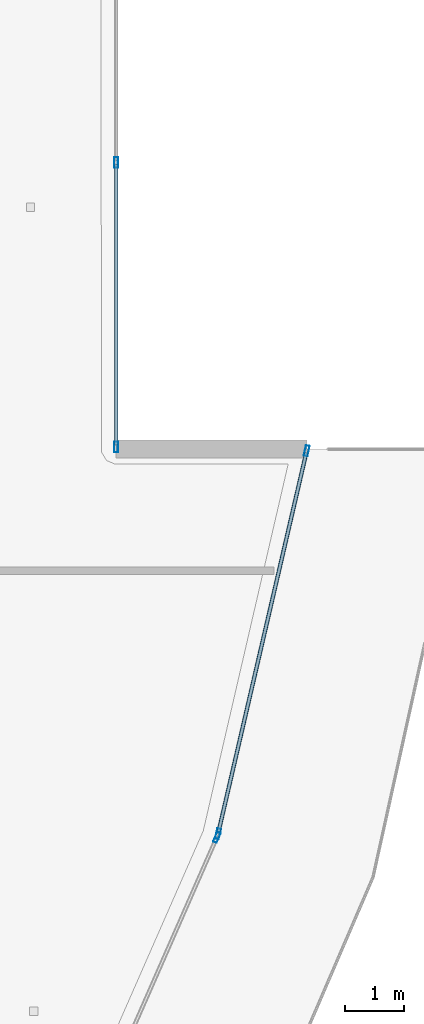
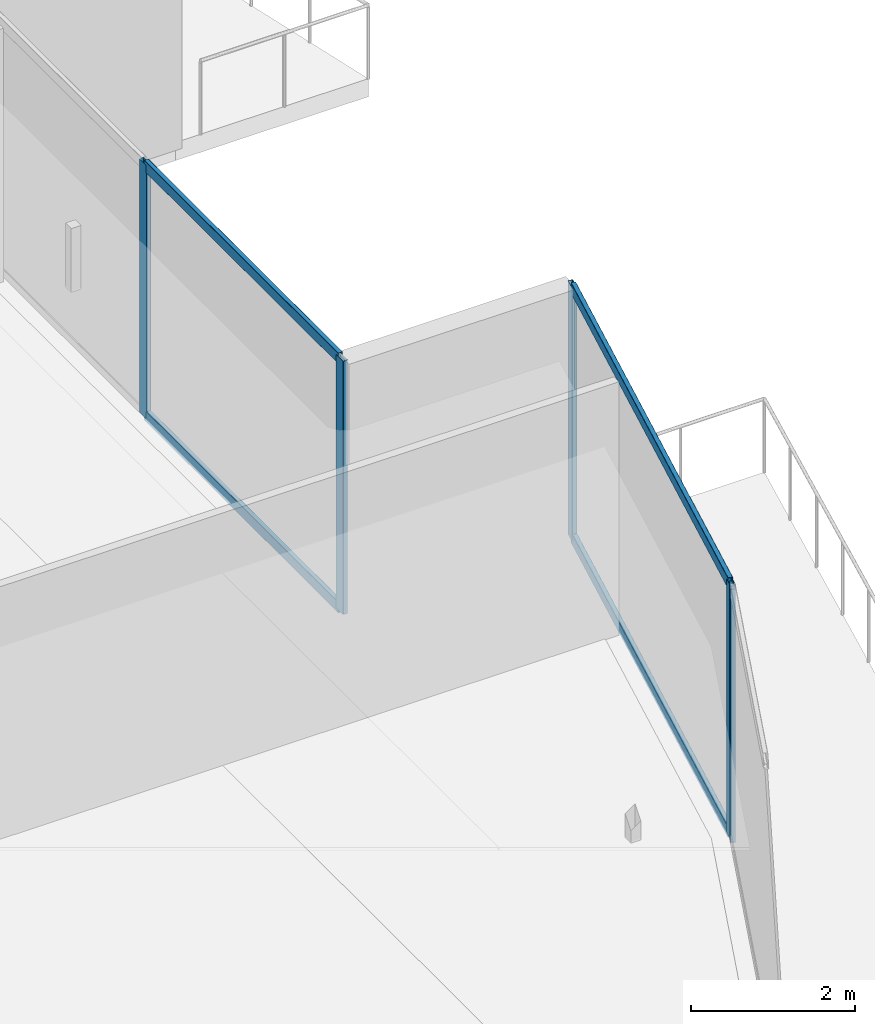
# One storey, part 13 of 39: 9 members, 3 elements without a shape of their own.
"""IFC4 building model written with IfcOpenShell, lengths in metres."""

import ifcopenshell
import ifcopenshell.guid

model = None  # the IFC model being written
_history = None  # IfcOwnerHistory: only IFC2X3 demands one
_inside = {}  # id of a spatial element -> (the spatial element, [elements in it])
_under = {}  # id of a project, library or spatial element -> (it, [spatial elements below it])
_declared = {}  # id of a project -> (the project, [libraries it declares])
_typed = {}  # id of a type object -> (the type object, [elements of that type])
_made_of = {}  # id of a material, layer set ... -> (it, [elements and type objects made of it])


def new_model(schema):
    """Start an empty IFC model of exactly this schema.

    Asked for "IFC4X3", IfcOpenShell would pick the latest addendum, in which some entities
    have other attributes; the version numbers below select the first issue.
    IFC2X3 requires an IfcOwnerHistory on every rooted entity: one is made here for all.
    """
    global model, _history
    if schema == "IFC4X3":
        model = ifcopenshell.file(schema_version=(4, 3, 0, 0))
    else:
        model = ifcopenshell.file(schema=schema)
    _inside.clear()
    _under.clear()
    _declared.clear()
    _typed.clear()
    _made_of.clear()
    _history = None
    if model.schema == "IFC2X3":
        org = make("IfcOrganization", Name="unknown")
        user = make(
            "IfcPersonAndOrganization",
            ThePerson=make("IfcPerson", FamilyName="unknown"),
            TheOrganization=org,
        )
        app = make(
            "IfcApplication",
            ApplicationDeveloper=org,
            Version="unknown",
            ApplicationFullName="unknown",
            ApplicationIdentifier="unknown",
        )
        _history = make(
            "IfcOwnerHistory",
            OwningUser=user,
            OwningApplication=app,
            ChangeAction="ADDED",
            CreationDate=0,
        )
    return model


def make(cls, **values):
    """One entity of the class cls with the attributes given. An attribute that is None is left unset."""
    return model.create_entity(
        cls, **{name: value for name, value in values.items() if value is not None}
    )


def rooted(cls, **values):
    """An entity with a GlobalId (a new one), such as an element, a storey or a relation."""
    return make(cls, GlobalId=ifcopenshell.guid.new(), OwnerHistory=_history, **values)


def si_unit(unit_type, name, prefix=None):
    """IfcSIUnit, for example si_unit("LENGTHUNIT", "METRE", prefix="MILLI")."""
    return make("IfcSIUnit", UnitType=unit_type, Prefix=prefix, Name=name)


def assignment(units):
    """IfcUnitAssignment: the units of a project."""
    return None if units is None else make("IfcUnitAssignment", Units=units)


def point(xyz):
    """IfcCartesianPoint."""
    return None if xyz is None else make("IfcCartesianPoint", Coordinates=xyz)


def direction(xyz):
    """IfcDirection."""
    return None if xyz is None else make("IfcDirection", DirectionRatios=xyz)


def frame(location, z_axis=None, x_axis=None):
    """IfcAxis2Placement3D, a coordinate frame: its origin and axes. An axis left out is left unset."""
    return make(
        "IfcAxis2Placement3D",
        Location=point(location),
        Axis=direction(z_axis),
        RefDirection=direction(x_axis),
    )


def frame_2d(location, x_axis=None):
    """IfcAxis2Placement2D, a coordinate frame in the plane: its origin and x axis."""
    return make(
        "IfcAxis2Placement2D", Location=point(location), RefDirection=direction(x_axis)
    )


def origin():
    """The frame at (0, 0, 0) with its axes left unset."""
    return frame((0.0, 0.0, 0.0))


def origin_2d():
    """The frame at (0, 0) in the plane with its x axis left unset."""
    return frame_2d((0.0, 0.0))


def place(relative_to, where):
    """IfcLocalPlacement: puts the frame where relative to a parent placement (None: the world)."""
    return make(
        "IfcLocalPlacement", PlacementRelTo=relative_to, RelativePlacement=where
    )


def context(
    kind, dimensions, precision=None, world=None, true_north=None, identifier=None
):
    """IfcGeometricRepresentationContext, for example the 3D "Model" context."""
    return make(
        "IfcGeometricRepresentationContext",
        ContextIdentifier=identifier,
        ContextType=kind,
        CoordinateSpaceDimension=dimensions,
        Precision=precision,
        WorldCoordinateSystem=world,
        TrueNorth=true_north,
    )


def subcontext(parent, identifier, kind, view, scale=None):
    """IfcGeometricRepresentationSubContext, for example "Body" below "Model"."""
    return make(
        "IfcGeometricRepresentationSubContext",
        ContextIdentifier=identifier,
        ContextType=kind,
        ParentContext=parent,
        TargetScale=scale,
        TargetView=view,
    )


def project(units=None, contexts=None):
    """IfcProject with its units and contexts."""
    return rooted(
        "IfcProject",
        Name="project",
        RepresentationContexts=contexts,
        UnitsInContext=assignment(units),
    )


def spatial(cls, under=None, at=None, **own):
    """A site, building, storey or space (cls), placed at a placement, below another one or the project."""
    s = rooted(cls, ObjectPlacement=at, **own)
    if under is not None:
        _under.setdefault(under.id(), (under, []))[1].append(s)
    return s


def profile(cls, at=None, kind="AREA", **sizes):
    """A parametric profile (cls). Its sizes go by their IFC names, for example OverallWidth=200.0."""
    return make(cls, ProfileType=kind, Position=at, **sizes)


def hollow_rectangle(**sizes):
    """IfcRectangleHollowProfileDef."""
    return profile("IfcRectangleHollowProfileDef", **sizes)


def extrude(swept, where, along, depth):
    """IfcExtrudedAreaSolid: the profile swept, set in the frame where, extruded along a direction by depth."""
    return make(
        "IfcExtrudedAreaSolid",
        SweptArea=swept,
        Position=where,
        ExtrudedDirection=direction(along),
        Depth=depth,
    )


def shape(context_of_items, identifier, shape_type, items):
    """IfcShapeRepresentation: the items that make up one representation, for example the "Body"."""
    return make(
        "IfcShapeRepresentation",
        ContextOfItems=context_of_items,
        RepresentationIdentifier=identifier,
        RepresentationType=shape_type,
        Items=items,
    )


def material(Name=None, Category=None):
    """IfcMaterial."""
    return make("IfcMaterial", Name=Name, Category=Category)


def layer(
    of_material, thickness, ventilated=None, Name=None, Category=None, Priority=None
):
    """IfcMaterialLayer: one layer of a wall or slab, of a material (None: an air gap)."""
    return make(
        "IfcMaterialLayer",
        Material=of_material,
        LayerThickness=thickness,
        IsVentilated=ventilated,
        Name=Name,
        Category=Category,
        Priority=Priority,
    )


def layer_set(layers, Name=None):
    """IfcMaterialLayerSet."""
    return make("IfcMaterialLayerSet", MaterialLayers=layers, LayerSetName=Name)


def material_profile(
    of_material, cross_section, Name=None, Category=None, Priority=None
):
    """IfcMaterialProfile: a cross section and its material."""
    return make(
        "IfcMaterialProfile",
        Name=Name,
        Material=of_material,
        Profile=cross_section,
        Priority=Priority,
        Category=Category,
    )


def profile_set(profiles, Name=None, composite=None):
    """IfcMaterialProfileSet."""
    return make(
        "IfcMaterialProfileSet",
        Name=Name,
        MaterialProfiles=profiles,
        CompositeProfile=composite,
    )


def made_of(thing, what):
    """Note that an element or type object is made of a material, layer set ...; save() writes the relation."""
    if what is not None:
        _made_of.setdefault(what.id(), (what, []))[1].append(thing)
    return thing


def type_object(cls, material=None, **own):
    """A type object (cls), such as IfcWallType, which elements share."""
    return made_of(rooted(cls, **own), material)


def element(
    cls,
    number,
    at=None,
    inside=None,
    cuts=None,
    type_object=None,
    material=None,
    context=None,
    identifier="Body",
    shape_type=None,
    held_by="IfcProductDefinitionShape",
    body=None,
    shapes=None,
    **own,
):
    """One element of the class cls, such as IfcWall. Its Tag is "e" and its number.

    at: its placement. inside: the storey or other place that contains it. cuts: it is an
    opening in that element (IfcRelVoidsElement). A single representation is given by context,
    identifier, shape_type and body (its items); several are given by shapes. held_by: the class
    of the entity that holds the representations. save() writes the other relations.
    """
    e = rooted(cls, Tag="e%d" % number, ObjectPlacement=at, **own)
    if body is not None:
        shapes = [shape(context, identifier, shape_type, body)]
    if shapes is not None:
        e.Representation = make(held_by, Representations=shapes)
    if inside is not None:
        _inside.setdefault(inside.id(), (inside, []))[1].append(e)
    if cuts is not None:
        rooted(
            "IfcRelVoidsElement", RelatingBuildingElement=cuts, RelatedOpeningElement=e
        )
    if type_object is not None:
        _typed.setdefault(type_object.id(), (type_object, []))[1].append(e)
    return made_of(e, material)


def aggregate(whole, parts):
    """IfcRelAggregates: a whole, such as a stair, and the parts it consists of."""
    return rooted("IfcRelAggregates", RelatingObject=whole, RelatedObjects=parts)


def save(model, path):
    """Write the relations noted so far, then the file.

    IfcRelAggregates (storeys below a building ...), IfcRelContainedInSpatialStructure (elements
    in a storey), IfcRelDefinesByType, IfcRelAssociatesMaterial and IfcRelDeclares: one each for
    every whole, place, type object, material and project.
    """
    for whole, parts in _under.values():
        aggregate(whole, parts)
    for where, things in _inside.values():
        rooted(
            "IfcRelContainedInSpatialStructure",
            RelatedElements=things,
            RelatingStructure=where,
        )
    for kind, things in _typed.values():
        rooted("IfcRelDefinesByType", RelatedObjects=things, RelatingType=kind)
    for what, things in _made_of.values():
        rooted("IfcRelAssociatesMaterial", RelatedObjects=things, RelatingMaterial=what)
    for by, libraries in _declared.values():
        rooted("IfcRelDeclares", RelatingContext=by, RelatedDefinitions=libraries)
    model.write(path)


model = new_model("IFC4")

# Units and contexts
model_context = context("Model", 3, precision=1e-05, world=origin(), true_north=direction((0.0, 1.0)))
body_context = subcontext(model_context, "Body", "Model", "MODEL_VIEW")
ifc_project = project(units=[si_unit("LENGTHUNIT", "METRE"), si_unit("AREAUNIT", "SQUARE_METRE"), si_unit("VOLUMEUNIT", "CUBIC_METRE"), si_unit("PLANEANGLEUNIT", "RADIAN"), si_unit("MASSUNIT", "GRAM", prefix="KILO")], contexts=[model_context])

# Site, building, storey
site_placement = place(None, origin())
site = spatial("IfcSite", under=ifc_project, at=site_placement, CompositionType="ELEMENT")
building_placement = place(site_placement, origin())
building = spatial("IfcBuilding", under=site, at=building_placement, Name="Qorvath Tower", CompositionType="ELEMENT")
storey_placement = place(building_placement, frame((0.0, 0.0, 142.199951171875)))
storey = spatial("IfcBuildingStorey", under=building, at=storey_placement, Name="L32", CompositionType="ELEMENT", Elevation=142.199951171875)

# Curtain wall, member
ifc_material_1 = material(Name="Anodised aluminium and triple low-E glass", Category="aluminium")
ifc_layer = layer(ifc_material_1, 0.179931640625)
ifc_layer_set = layer_set([ifc_layer], Name="CW-SYS-3")
curtain_wall_type = type_object("IfcCurtainWallType", Name="CW-SYS-3", PredefinedType="NOTDEFINED", material=ifc_layer_set)
curtain_wall_1_placement = place(storey_placement, origin())
curtain_wall_1 = element("IfcCurtainWall", 1, at=curtain_wall_1_placement, inside=storey, type_object=curtain_wall_type, Name="Curtain Wall CW-3 CW-T-L32-6.1", PredefinedType="NOTDEFINED")
ifc_material_2 = material(Name="Anodised aluminium 6063-T6", Category="aluminium")
ifc_material_profile_1 = material_profile(ifc_material_2, hollow_rectangle(XDim=0.06494140625, YDim=0.179931640625, WallThickness=0.00341796875, InnerFilletRadius=0.00341796875, OuterFilletRadius=0.007080078125, at=origin_2d()), Name="CWM 180x65")
ifc_profile_set_1 = profile_set([ifc_material_profile_1], Name="Anodised aluminium 6063-T6")
member_type_1 = type_object("IfcMemberType", Name="CWM-180", PredefinedType="MULLION", material=ifc_profile_set_1)
member_1_placement = place(storey_placement, frame((2.30224609375, -11.3984375, 0.0), z_axis=(0.0, 0.0, 1.0), x_axis=(-0.915703754985, 0.401853994762, 0.0)))
member_1 = element("IfcMember", 2, at=member_1_placement, type_object=member_type_1, Name="CW-3 mullion 2", PredefinedType="MULLION", context=body_context, shape_type="SweptSolid", body=[
    extrude(hollow_rectangle(XDim=0.06494140625, YDim=0.179931640625, WallThickness=0.00341796875, InnerFilletRadius=0.00341796875, OuterFilletRadius=0.007080078125, at=origin_2d()), origin(), (0.0, 0.0, 1.0), 3.780029296875),
])
aggregate(curtain_wall_1, [member_1])

# Curtain wall, members
curtain_wall_2_placement = place(storey_placement, origin())
curtain_wall_2 = element("IfcCurtainWall", 3, at=curtain_wall_2_placement, inside=storey, type_object=curtain_wall_type, Name="Curtain Wall CW-3 CW-T-L32-7.1", PredefinedType="NOTDEFINED")
member_2_placement = place(storey_placement, frame((2.32275390625, -11.337158203125, 0.0), z_axis=(0.0, 0.0, 1.0), x_axis=(-0.974237086813, 0.225526270485, 0.0)))
member_2 = element("IfcMember", 4, at=member_2_placement, type_object=member_type_1, Name="CW-3 mullion 1", PredefinedType="MULLION", context=body_context, shape_type="SweptSolid", body=[
    extrude(hollow_rectangle(XDim=0.06494140625, YDim=0.179931640625, WallThickness=0.00341796875, InnerFilletRadius=0.00341796875, OuterFilletRadius=0.007080078125, at=origin_2d()), origin(), (0.0, 0.0, 1.0), 3.780029296875),
])
member_3_placement = place(storey_placement, frame((3.81982421875, -4.8701171875, 0.0), z_axis=(0.0, 0.0, 1.0), x_axis=(-0.974237086813, 0.225526270485, 0.0)))
member_3 = element("IfcMember", 5, at=member_3_placement, type_object=member_type_1, Name="CW-3 mullion 2", PredefinedType="MULLION", context=body_context, shape_type="SweptSolid", body=[
    extrude(hollow_rectangle(XDim=0.06494140625, YDim=0.179931640625, WallThickness=0.00341796875, InnerFilletRadius=0.00341796875, OuterFilletRadius=0.007080078125, at=origin_2d()), origin(), (0.0, 0.0, 1.0), 3.780029296875),
])

curtain_wall_3_placement = place(storey_placement, origin())
curtain_wall_3 = element("IfcCurtainWall", 6, at=curtain_wall_3_placement, inside=storey, type_object=curtain_wall_type, Name="Curtain Wall CW-3 CW-T-L32-9.1", PredefinedType="NOTDEFINED")
member_4_placement = place(storey_placement, frame((0.6015625, -4.805908203125, 0.0), z_axis=(0.0, 0.0, 1.0), x_axis=(-1.0, 0.0, 0.0)))
member_4 = element("IfcMember", 7, at=member_4_placement, type_object=member_type_1, Name="CW-3 mullion 1", PredefinedType="MULLION", context=body_context, shape_type="SweptSolid", body=[
    extrude(hollow_rectangle(XDim=0.06494140625, YDim=0.179931640625, WallThickness=0.00341796875, InnerFilletRadius=0.00341796875, OuterFilletRadius=0.007080078125, at=origin_2d()), origin(), (0.0, 0.0, 1.0), 3.780029296875),
])
member_5_placement = place(storey_placement, frame((0.6015625, 0.0, 0.0), z_axis=(0.0, 0.0, 1.0), x_axis=(-1.0, 0.0, 0.0)))
member_5 = element("IfcMember", 8, at=member_5_placement, type_object=member_type_1, Name="CW-3 mullion 2", PredefinedType="MULLION", context=body_context, shape_type="SweptSolid", body=[
    extrude(hollow_rectangle(XDim=0.06494140625, YDim=0.179931640625, WallThickness=0.00341796875, InnerFilletRadius=0.00341796875, OuterFilletRadius=0.007080078125, at=origin_2d()), origin(), (0.0, 0.0, 1.0), 3.780029296875),
])

# Member
ifc_material_3 = material(Name="Anodised aluminium 6063-T6", Category="aluminium")
ifc_material_profile_2 = material_profile(ifc_material_3, hollow_rectangle(XDim=0.06494140625, YDim=0.159912109375, WallThickness=0.00341796875, InnerFilletRadius=0.00341796875, OuterFilletRadius=0.007080078125, at=origin_2d()), Name="CWT 160x65")
ifc_profile_set_2 = profile_set([ifc_material_profile_2], Name="Anodised aluminium 6063-T6")
member_type_2 = type_object("IfcMemberType", Name="CWT-160", PredefinedType="USERDEFINED", material=ifc_profile_set_2)
member_6_placement = place(storey_placement, frame((2.330078125, -11.305419921875, 0.032470703125), z_axis=(0.225526759575, 0.974236973593, 0.0), x_axis=(-0.974236973593, 0.225526759575, 0.0)))
member_6 = element("IfcMember", 9, at=member_6_placement, type_object=member_type_2, Name="CW-3 transom 1.1", ObjectType="TRANSOM", PredefinedType="USERDEFINED", context=body_context, shape_type="SweptSolid", body=[
    extrude(hollow_rectangle(XDim=0.06494140625, YDim=0.159912109375, WallThickness=0.00341796875, InnerFilletRadius=0.00341796875, OuterFilletRadius=0.007080078125, at=origin_2d()), origin(), (0.0, 0.0, 1.0), 6.5732421875),
])

member_7_placement = place(storey_placement, frame((2.330078125, -11.305419921875, 3.74755859375), z_axis=(0.225526759575, 0.974236973593, 0.0), x_axis=(-0.974236973593, 0.225526759575, 0.0)))
member_7 = element("IfcMember", 10, at=member_7_placement, type_object=member_type_2, Name="CW-3 transom 1.2", ObjectType="TRANSOM", PredefinedType="USERDEFINED", context=body_context, shape_type="SweptSolid", body=[
    extrude(hollow_rectangle(XDim=0.06494140625, YDim=0.159912109375, WallThickness=0.00341796875, InnerFilletRadius=0.00341796875, OuterFilletRadius=0.007080078125, at=origin_2d()), origin(), (0.0, 0.0, 1.0), 6.5732421875),
])

aggregate(curtain_wall_2, [member_2, member_3, member_6, member_7])

member_8_placement = place(storey_placement, frame((0.6015625, -4.7734375, 0.032470703125), z_axis=(0.0, 1.0, 0.0), x_axis=(-1.0, 0.0, 0.0)))
member_8 = element("IfcMember", 11, at=member_8_placement, type_object=member_type_2, Name="CW-3 transom 1.1", ObjectType="TRANSOM", PredefinedType="USERDEFINED", context=body_context, shape_type="SweptSolid", body=[
    extrude(hollow_rectangle(XDim=0.06494140625, YDim=0.159912109375, WallThickness=0.00341796875, InnerFilletRadius=0.00341796875, OuterFilletRadius=0.007080078125, at=origin_2d()), origin(), (0.0, 0.0, 1.0), 4.740966796875),
])

member_9_placement = place(storey_placement, frame((0.6015625, -4.7734375, 3.74755859375), z_axis=(0.0, 1.0, 0.0), x_axis=(-1.0, 0.0, 0.0)))
member_9 = element("IfcMember", 12, at=member_9_placement, type_object=member_type_2, Name="CW-3 transom 1.2", ObjectType="TRANSOM", PredefinedType="USERDEFINED", context=body_context, shape_type="SweptSolid", body=[
    extrude(hollow_rectangle(XDim=0.06494140625, YDim=0.159912109375, WallThickness=0.00341796875, InnerFilletRadius=0.00341796875, OuterFilletRadius=0.007080078125, at=origin_2d()), origin(), (0.0, 0.0, 1.0), 4.740966796875),
])

aggregate(curtain_wall_3, [member_4, member_5, member_8, member_9])

save(model, "model.ifc")
